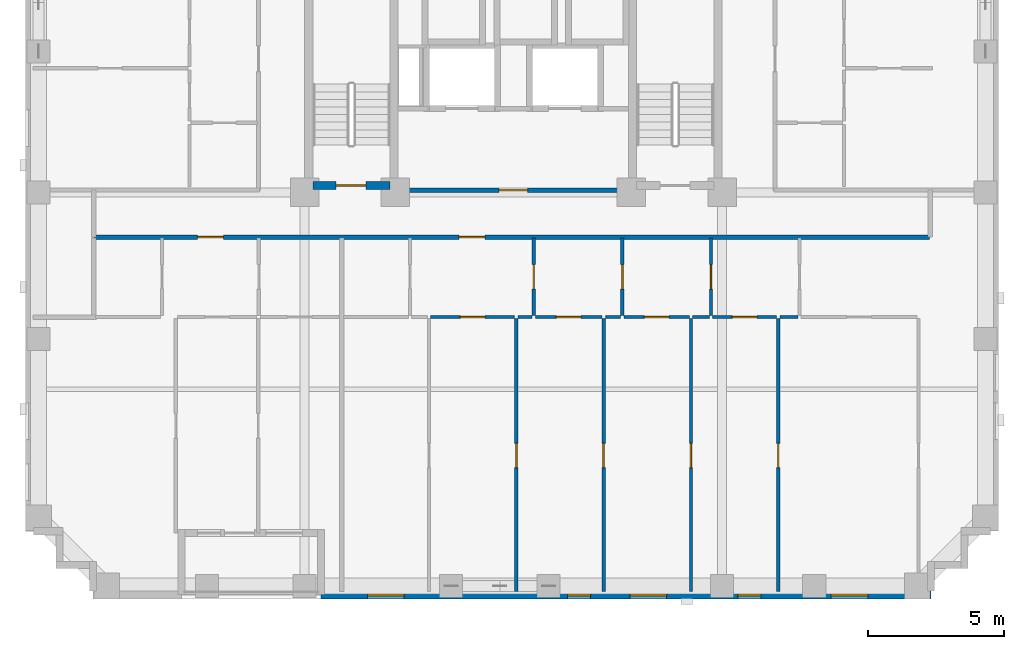
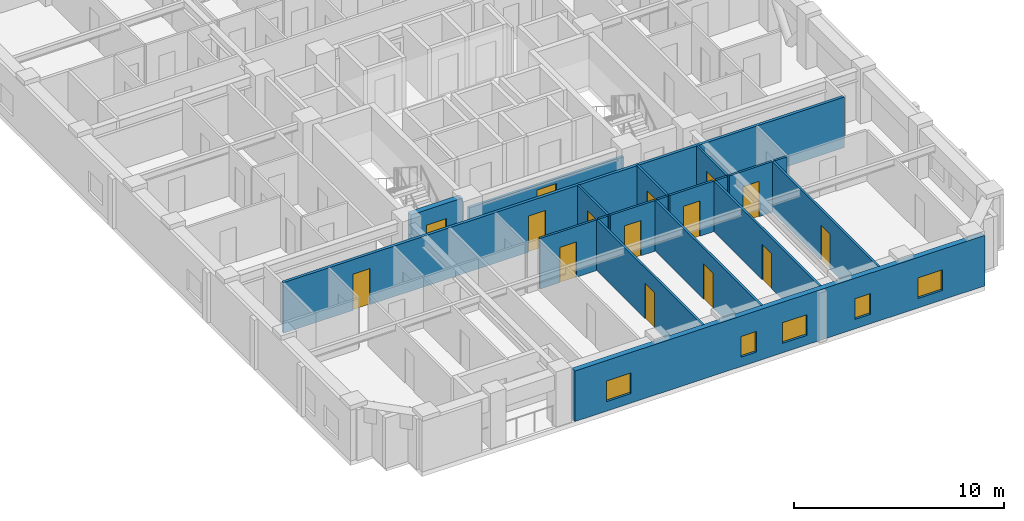
# One storey, part 3 of 12: 19 walls, 15 doors, 5 windows, 20 openings.
"""IFC4 building model written with IfcOpenShell, lengths in metres."""

import ifcopenshell
import ifcopenshell.guid

model = None  # the IFC model being written
_history = None  # IfcOwnerHistory: only IFC2X3 demands one
_inside = {}  # id of a spatial element -> (the spatial element, [elements in it])
_under = {}  # id of a project, library or spatial element -> (it, [spatial elements below it])
_declared = {}  # id of a project -> (the project, [libraries it declares])
_typed = {}  # id of a type object -> (the type object, [elements of that type])
_made_of = {}  # id of a material, layer set ... -> (it, [elements and type objects made of it])


def new_model(schema):
    """Start an empty IFC model of exactly this schema.

    Asked for "IFC4X3", IfcOpenShell would pick the latest addendum, in which some entities
    have other attributes; the version numbers below select the first issue.
    IFC2X3 requires an IfcOwnerHistory on every rooted entity: one is made here for all.
    """
    global model, _history
    if schema == "IFC4X3":
        model = ifcopenshell.file(schema_version=(4, 3, 0, 0))
    else:
        model = ifcopenshell.file(schema=schema)
    _inside.clear()
    _under.clear()
    _declared.clear()
    _typed.clear()
    _made_of.clear()
    _history = None
    if model.schema == "IFC2X3":
        org = make("IfcOrganization", Name="unknown")
        user = make(
            "IfcPersonAndOrganization",
            ThePerson=make("IfcPerson", FamilyName="unknown"),
            TheOrganization=org,
        )
        app = make(
            "IfcApplication",
            ApplicationDeveloper=org,
            Version="unknown",
            ApplicationFullName="unknown",
            ApplicationIdentifier="unknown",
        )
        _history = make(
            "IfcOwnerHistory",
            OwningUser=user,
            OwningApplication=app,
            ChangeAction="ADDED",
            CreationDate=0,
        )
    return model


def make(cls, **values):
    """One entity of the class cls with the attributes given. An attribute that is None is left unset."""
    return model.create_entity(
        cls, **{name: value for name, value in values.items() if value is not None}
    )


def rooted(cls, **values):
    """An entity with a GlobalId (a new one), such as an element, a storey or a relation."""
    return make(cls, GlobalId=ifcopenshell.guid.new(), OwnerHistory=_history, **values)


def si_unit(unit_type, name, prefix=None):
    """IfcSIUnit, for example si_unit("LENGTHUNIT", "METRE", prefix="MILLI")."""
    return make("IfcSIUnit", UnitType=unit_type, Prefix=prefix, Name=name)


def derived_unit(unit_type, elements):
    """IfcDerivedUnit: a product of units, each with its exponent."""
    return make(
        "IfcDerivedUnit",
        Elements=[
            make("IfcDerivedUnitElement", Unit=unit, Exponent=power)
            for unit, power in elements
        ],
        UnitType=unit_type,
    )


def assignment(units):
    """IfcUnitAssignment: the units of a project."""
    return None if units is None else make("IfcUnitAssignment", Units=units)


def point(xyz):
    """IfcCartesianPoint."""
    return None if xyz is None else make("IfcCartesianPoint", Coordinates=xyz)


def direction(xyz):
    """IfcDirection."""
    return None if xyz is None else make("IfcDirection", DirectionRatios=xyz)


def frame(location, z_axis=None, x_axis=None):
    """IfcAxis2Placement3D, a coordinate frame: its origin and axes. An axis left out is left unset."""
    return make(
        "IfcAxis2Placement3D",
        Location=point(location),
        Axis=direction(z_axis),
        RefDirection=direction(x_axis),
    )


def frame_2d(location, x_axis=None):
    """IfcAxis2Placement2D, a coordinate frame in the plane: its origin and x axis."""
    return make(
        "IfcAxis2Placement2D", Location=point(location), RefDirection=direction(x_axis)
    )


def origin():
    """The frame at (0, 0, 0) with its axes left unset."""
    return frame((0.0, 0.0, 0.0))


def place(relative_to, where):
    """IfcLocalPlacement: puts the frame where relative to a parent placement (None: the world)."""
    return make(
        "IfcLocalPlacement", PlacementRelTo=relative_to, RelativePlacement=where
    )


def context(
    kind, dimensions, precision=None, world=None, true_north=None, identifier=None
):
    """IfcGeometricRepresentationContext, for example the 3D "Model" context."""
    return make(
        "IfcGeometricRepresentationContext",
        ContextIdentifier=identifier,
        ContextType=kind,
        CoordinateSpaceDimension=dimensions,
        Precision=precision,
        WorldCoordinateSystem=world,
        TrueNorth=true_north,
    )


def subcontext(parent, identifier, kind, view, scale=None):
    """IfcGeometricRepresentationSubContext, for example "Body" below "Model"."""
    return make(
        "IfcGeometricRepresentationSubContext",
        ContextIdentifier=identifier,
        ContextType=kind,
        ParentContext=parent,
        TargetScale=scale,
        TargetView=view,
    )


def project(units=None, contexts=None):
    """IfcProject with its units and contexts."""
    return rooted(
        "IfcProject",
        Name="project",
        RepresentationContexts=contexts,
        UnitsInContext=assignment(units),
    )


def spatial(cls, under=None, at=None, **own):
    """A site, building, storey or space (cls), placed at a placement, below another one or the project."""
    s = rooted(cls, ObjectPlacement=at, **own)
    if under is not None:
        _under.setdefault(under.id(), (under, []))[1].append(s)
    return s


def profile(cls, at=None, kind="AREA", **sizes):
    """A parametric profile (cls). Its sizes go by their IFC names, for example OverallWidth=200.0."""
    return make(cls, ProfileType=kind, Position=at, **sizes)


def rectangle(**sizes):
    """IfcRectangleProfileDef."""
    return profile("IfcRectangleProfileDef", **sizes)


def extrude(swept, where, along, depth):
    """IfcExtrudedAreaSolid: the profile swept, set in the frame where, extruded along a direction by depth."""
    return make(
        "IfcExtrudedAreaSolid",
        SweptArea=swept,
        Position=where,
        ExtrudedDirection=direction(along),
        Depth=depth,
    )


def shape(context_of_items, identifier, shape_type, items):
    """IfcShapeRepresentation: the items that make up one representation, for example the "Body"."""
    return make(
        "IfcShapeRepresentation",
        ContextOfItems=context_of_items,
        RepresentationIdentifier=identifier,
        RepresentationType=shape_type,
        Items=items,
    )


def material(Name=None, Category=None):
    """IfcMaterial."""
    return make("IfcMaterial", Name=Name, Category=Category)


def layer(
    of_material, thickness, ventilated=None, Name=None, Category=None, Priority=None
):
    """IfcMaterialLayer: one layer of a wall or slab, of a material (None: an air gap)."""
    return make(
        "IfcMaterialLayer",
        Material=of_material,
        LayerThickness=thickness,
        IsVentilated=ventilated,
        Name=Name,
        Category=Category,
        Priority=Priority,
    )


def layer_set(layers, Name=None):
    """IfcMaterialLayerSet."""
    return make("IfcMaterialLayerSet", MaterialLayers=layers, LayerSetName=Name)


def made_of(thing, what):
    """Note that an element or type object is made of a material, layer set ...; save() writes the relation."""
    if what is not None:
        _made_of.setdefault(what.id(), (what, []))[1].append(thing)
    return thing


def type_object(cls, material=None, **own):
    """A type object (cls), such as IfcWallType, which elements share."""
    return made_of(rooted(cls, **own), material)


def element(
    cls,
    number,
    at=None,
    inside=None,
    cuts=None,
    type_object=None,
    material=None,
    context=None,
    identifier="Body",
    shape_type=None,
    held_by="IfcProductDefinitionShape",
    body=None,
    shapes=None,
    **own,
):
    """One element of the class cls, such as IfcWall. Its Tag is "e" and its number.

    at: its placement. inside: the storey or other place that contains it. cuts: it is an
    opening in that element (IfcRelVoidsElement). A single representation is given by context,
    identifier, shape_type and body (its items); several are given by shapes. held_by: the class
    of the entity that holds the representations. save() writes the other relations.
    """
    e = rooted(cls, Tag="e%d" % number, ObjectPlacement=at, **own)
    if body is not None:
        shapes = [shape(context, identifier, shape_type, body)]
    if shapes is not None:
        e.Representation = make(held_by, Representations=shapes)
    if inside is not None:
        _inside.setdefault(inside.id(), (inside, []))[1].append(e)
    if cuts is not None:
        rooted(
            "IfcRelVoidsElement", RelatingBuildingElement=cuts, RelatedOpeningElement=e
        )
    if type_object is not None:
        _typed.setdefault(type_object.id(), (type_object, []))[1].append(e)
    return made_of(e, material)


def fill(opening, filler):
    """IfcRelFillsElement: the door or window that sits in an opening."""
    return rooted(
        "IfcRelFillsElement",
        RelatingOpeningElement=opening,
        RelatedBuildingElement=filler,
    )


def aggregate(whole, parts):
    """IfcRelAggregates: a whole, such as a stair, and the parts it consists of."""
    return rooted("IfcRelAggregates", RelatingObject=whole, RelatedObjects=parts)


def save(model, path):
    """Write the relations noted so far, then the file.

    IfcRelAggregates (storeys below a building ...), IfcRelContainedInSpatialStructure (elements
    in a storey), IfcRelDefinesByType, IfcRelAssociatesMaterial and IfcRelDeclares: one each for
    every whole, place, type object, material and project.
    """
    for whole, parts in _under.values():
        aggregate(whole, parts)
    for where, things in _inside.values():
        rooted(
            "IfcRelContainedInSpatialStructure",
            RelatedElements=things,
            RelatingStructure=where,
        )
    for kind, things in _typed.values():
        rooted("IfcRelDefinesByType", RelatedObjects=things, RelatingType=kind)
    for what, things in _made_of.values():
        rooted("IfcRelAssociatesMaterial", RelatedObjects=things, RelatingMaterial=what)
    for by, libraries in _declared.values():
        rooted("IfcRelDeclares", RelatingContext=by, RelatedDefinitions=libraries)
    model.write(path)


model = new_model("IFC4")

# Units and contexts
model_context = context("Model", 3, precision=1e-05, world=origin(), true_north=direction((0.0, 1.0)))
body_context = subcontext(model_context, "Body", "Model", "MODEL_VIEW")
ifc_project = project(units=[si_unit("LENGTHUNIT", "METRE"), si_unit("AREAUNIT", "SQUARE_METRE"), si_unit("VOLUMEUNIT", "CUBIC_METRE"), si_unit("PLANEANGLEUNIT", "RADIAN"), si_unit("MASSUNIT", "GRAM", prefix="KILO"), derived_unit("THERMALTRANSMITTANCEUNIT", [(si_unit("MASSUNIT", "GRAM", prefix="KILO"), 1), (si_unit("TIMEUNIT", "SECOND"), -3), (si_unit("THERMODYNAMICTEMPERATUREUNIT", "KELVIN"), -1)])], contexts=[model_context])

# Site, building, storey
site_placement = place(None, origin())
site = spatial("IfcSite", under=ifc_project, at=site_placement, CompositionType="ELEMENT")
building_placement = place(site_placement, origin())
building = spatial("IfcBuilding", under=site, at=building_placement, Name="Korrvale Station Residences", CompositionType="ELEMENT")
storey_placement = place(building_placement, frame((0.0, 0.0, 84.699951171875)))
storey = spatial("IfcBuildingStorey", under=building, at=storey_placement, Name="L23", CompositionType="ELEMENT", Elevation=84.699951171875)

# Wall, opening, door
ifc_material_1 = material(Name="Concrete C60/75", Category="concrete")
ifc_layer_1 = layer(ifc_material_1, 0.300048828125, Name="Concrete C60/75")
ifc_layer_set_1 = layer_set([ifc_layer_1], Name="Concrete C60/75")
wall_type_1 = type_object("IfcWallType", Name="WAL-CORE-300-C60", PredefinedType="SHEAR", material=ifc_layer_set_1)
wall_1_placement = place(storey_placement, frame((18.10009765625, 15.25, 0.0), z_axis=(0.0, 0.0, 1.0), x_axis=(1.0, 0.0, 0.0)))
wall_1 = element("IfcWall", 1, at=wall_1_placement, inside=storey, type_object=wall_type_1, Name="L23 ST-1 Core Shear Wall South", PredefinedType="SHEAR", context=body_context, shape_type="SweptSolid", body=[
    extrude(rectangle(XDim=2.849853515625, YDim=0.300048828125, at=frame_2d((1.4248046875, 0.0))), origin(), (0.0, 0.0, 1.0), 2.93994140625),
])
opening_1_placement = place(wall_1_placement, frame((0.860107421875, 0.0, 0.0)))
opening_1 = element("IfcOpeningElement", 2, at=opening_1_placement, cuts=wall_1, Name="Opening SD-1100", PredefinedType="OPENING", context=body_context, shape_type="SweptSolid", body=[
    extrude(rectangle(XDim=1.10009765625, YDim=2.050048828125, at=frame_2d((0.550048828125, 1.02490234375))), frame((0.0, 0.16015625, 0.0), z_axis=(0.0, -1.0, 0.0), x_axis=(1.0, 0.0, 0.0)), (0.0, 0.0, 1.0), 0.320068359375),
])
ifc_material_2 = material(Name="Hollow-metal fire-rated stair door with closer", Category="steel")
door_type_1 = type_object("IfcDoorType", Name="DR-STAIR-1100", OperationType="NOTDEFINED", PredefinedType="DOOR", material=ifc_material_2)
door_1_placement = place(opening_1_placement, origin())
door_1 = element("IfcDoor", 3, at=door_1_placement, inside=storey, type_object=door_type_1, Name="L23 ST-1 Exit Stair Door", OperationType="SINGLE_SWING_LEFT", OverallHeight=2.050048828125, OverallWidth=1.10009765625, PredefinedType="DOOR", context=body_context, shape_type="SweptSolid", body=[
    extrude(rectangle(XDim=1.10009765625, YDim=2.050048828125, at=frame_2d((0.550048828125, 1.02490234375))), frame((0.0, 0.02490234375, 0.0), z_axis=(0.0, -1.0, 0.0), x_axis=(1.0, 0.0, 0.0)), (0.0, 0.0, 1.0), 0.050048828125),
])
fill(opening_1, door_1)

# Wall, openings, windows
ifc_material_3 = material(Name="Precast concrete C45/55", Category="concrete")
ifc_layer_2 = layer(ifc_material_3, 0.300048828125, Name="Precast concrete C45/55")
ifc_layer_set_2 = layer_set([ifc_layer_2], Name="Precast concrete C45/55")
wall_type_2 = type_object("IfcWallType", Name="WAL-EXT-PC300", PredefinedType="SOLIDWALL", material=ifc_layer_set_2)
wall_2_placement = place(storey_placement, frame((40.89990234375, 0.14990234375, 0.0), z_axis=(0.0, 0.0, 1.0), x_axis=(-1.0, 0.0, 0.0)))
wall_2 = element("IfcWall", 4, at=wall_2_placement, inside=storey, type_object=wall_type_2, Name="L23 South Exterior Precast Wall 1", PredefinedType="SOLIDWALL", context=body_context, shape_type="SweptSolid", body=[
    extrude(rectangle(XDim=22.5, YDim=0.300048828125, at=frame_2d((11.25, 0.0))), origin(), (0.0, 0.0, 1.0), 2.93994140625),
])
opening_2_placement = place(wall_2_placement, frame((19.425048828125, 0.0, 0.550048828125)))
opening_2 = element("IfcOpeningElement", 5, at=opening_2_placement, cuts=wall_2, Name="Opening W-10", PredefinedType="OPENING", context=body_context, shape_type="SweptSolid", body=[
    extrude(rectangle(XDim=1.35009765625, YDim=1.199951171875, at=frame_2d((0.675048828125, 0.60009765625))), frame((0.0, 0.16015625, 0.0), z_axis=(0.0, -1.0, 0.0), x_axis=(1.0, 0.0, 0.0)), (0.0, 0.0, 1.0), 0.320068359375),
])
opening_3_placement = place(wall_2_placement, frame((12.550048828125, 0.0, 0.550048828125)))
opening_3 = element("IfcOpeningElement", 6, at=opening_3_placement, cuts=wall_2, Name="Opening W-11", PredefinedType="OPENING", context=body_context, shape_type="SweptSolid", body=[
    extrude(rectangle(XDim=0.85009765625, YDim=1.199951171875, at=frame_2d((0.425048828125, 0.60009765625))), frame((0.0, 0.16015625, 0.0), z_axis=(0.0, -1.0, 0.0), x_axis=(1.0, 0.0, 0.0)), (0.0, 0.0, 1.0), 0.320068359375),
])
opening_4_placement = place(wall_2_placement, frame((9.75, 0.0, 0.550048828125)))
opening_4 = element("IfcOpeningElement", 7, at=opening_4_placement, cuts=wall_2, Name="Opening W-10", PredefinedType="OPENING", context=body_context, shape_type="SweptSolid", body=[
    extrude(rectangle(XDim=1.35009765625, YDim=1.199951171875, at=frame_2d((0.675048828125, 0.60009765625))), frame((0.0, 0.16015625, 0.0), z_axis=(0.0, -1.0, 0.0), x_axis=(1.0, 0.0, 0.0)), (0.0, 0.0, 1.0), 0.320068359375),
])
opening_5_placement = place(wall_2_placement, frame((6.264892578125, 0.0, 0.550048828125)))
opening_5 = element("IfcOpeningElement", 8, at=opening_5_placement, cuts=wall_2, Name="Opening W-11", PredefinedType="OPENING", context=body_context, shape_type="SweptSolid", body=[
    extrude(rectangle(XDim=0.85009765625, YDim=1.199951171875, at=frame_2d((0.425048828125, 0.60009765625))), frame((0.0, 0.16015625, 0.0), z_axis=(0.0, -1.0, 0.0), x_axis=(1.0, 0.0, 0.0)), (0.0, 0.0, 1.0), 0.320068359375),
])
opening_6_placement = place(wall_2_placement, frame((2.324951171875, 0.0, 0.550048828125)))
opening_6 = element("IfcOpeningElement", 9, at=opening_6_placement, cuts=wall_2, Name="Opening W-10", PredefinedType="OPENING", context=body_context, shape_type="SweptSolid", body=[
    extrude(rectangle(XDim=1.35009765625, YDim=1.199951171875, at=frame_2d((0.675048828125, 0.60009765625))), frame((0.0, 0.16015625, 0.0), z_axis=(0.0, -1.0, 0.0), x_axis=(1.0, 0.0, 0.0)), (0.0, 0.0, 1.0), 0.320068359375),
])
ifc_material_4 = material(Name="Thermally broken aluminium frame with triple low-e glazing", Category="aluminium")
window_type_1 = type_object("IfcWindowType", Name="WIN-W10", PartitioningType="SINGLE_PANEL", PredefinedType="WINDOW", material=ifc_material_4)
window_1_placement = place(opening_2_placement, origin())
window_1 = element("IfcWindow", 10, at=window_1_placement, inside=storey, type_object=window_type_1, Name="L23 Punched Window 05", OverallHeight=1.199951171875, OverallWidth=1.35009765625, PartitioningType="SINGLE_PANEL", PredefinedType="WINDOW", context=body_context, shape_type="SweptSolid", body=[
    extrude(rectangle(XDim=1.35009765625, YDim=1.199951171875, at=frame_2d((0.675048828125, 0.60009765625))), frame((0.0, 0.030029296875, 0.0), z_axis=(0.0, -1.0, 0.0), x_axis=(1.0, 0.0, 0.0)), (0.0, 0.0, 1.0), 0.06005859375),
])
fill(opening_2, window_1)
window_2_placement = place(opening_4_placement, origin())
window_2 = element("IfcWindow", 11, at=window_2_placement, inside=storey, type_object=window_type_1, Name="L23 Punched Window 07", OverallHeight=1.199951171875, OverallWidth=1.35009765625, PartitioningType="SINGLE_PANEL", PredefinedType="WINDOW", context=body_context, shape_type="SweptSolid", body=[
    extrude(rectangle(XDim=1.35009765625, YDim=1.199951171875, at=frame_2d((0.675048828125, 0.60009765625))), frame((0.0, 0.030029296875, 0.0), z_axis=(0.0, -1.0, 0.0), x_axis=(1.0, 0.0, 0.0)), (0.0, 0.0, 1.0), 0.06005859375),
])
fill(opening_4, window_2)
window_3_placement = place(opening_6_placement, origin())
window_3 = element("IfcWindow", 12, at=window_3_placement, inside=storey, type_object=window_type_1, Name="L23 Punched Window 09", OverallHeight=1.199951171875, OverallWidth=1.35009765625, PartitioningType="SINGLE_PANEL", PredefinedType="WINDOW", context=body_context, shape_type="SweptSolid", body=[
    extrude(rectangle(XDim=1.35009765625, YDim=1.199951171875, at=frame_2d((0.675048828125, 0.60009765625))), frame((0.0, 0.030029296875, 0.0), z_axis=(0.0, -1.0, 0.0), x_axis=(1.0, 0.0, 0.0)), (0.0, 0.0, 1.0), 0.06005859375),
])
fill(opening_6, window_3)
window_type_2 = type_object("IfcWindowType", Name="WIN-W11", PartitioningType="SINGLE_PANEL", PredefinedType="WINDOW", material=ifc_material_4)
window_4_placement = place(opening_3_placement, origin())
window_4 = element("IfcWindow", 13, at=window_4_placement, inside=storey, type_object=window_type_2, Name="L23 Punched Window 06", OverallHeight=1.199951171875, OverallWidth=0.85009765625, PartitioningType="SINGLE_PANEL", PredefinedType="WINDOW", context=body_context, shape_type="SweptSolid", body=[
    extrude(rectangle(XDim=0.85009765625, YDim=1.199951171875, at=frame_2d((0.425048828125, 0.60009765625))), frame((0.0, 0.030029296875, 0.0), z_axis=(0.0, -1.0, 0.0), x_axis=(1.0, 0.0, 0.0)), (0.0, 0.0, 1.0), 0.06005859375),
])
fill(opening_3, window_4)
window_5_placement = place(opening_5_placement, origin())
window_5 = element("IfcWindow", 14, at=window_5_placement, inside=storey, type_object=window_type_2, Name="L23 Punched Window 08", OverallHeight=1.199951171875, OverallWidth=0.85009765625, PartitioningType="SINGLE_PANEL", PredefinedType="WINDOW", context=body_context, shape_type="SweptSolid", body=[
    extrude(rectangle(XDim=0.85009765625, YDim=1.199951171875, at=frame_2d((0.425048828125, 0.60009765625))), frame((0.0, 0.030029296875, 0.0), z_axis=(0.0, -1.0, 0.0), x_axis=(1.0, 0.0, 0.0)), (0.0, 0.0, 1.0), 0.06005859375),
])
fill(opening_5, window_5)

# Wall, opening, door
ifc_material_5 = material(Name="Acoustic steel-stud gypsum board partition", Category="steel")
ifc_layer_3 = layer(ifc_material_5, 0.1201171875, Name="Acoustic steel-stud gypsum board partition")
ifc_layer_set_3 = layer_set([ifc_layer_3], Name="Acoustic steel-stud gypsum board partition")
wall_type_3 = type_object("IfcWallType", Name="WAL-PART-125", PredefinedType="PARTITIONING", material=ifc_layer_set_3)
wall_3_placement = place(storey_placement, frame((26.25, 10.4599609375, 0.0), z_axis=(0.0, 0.0, 1.0), x_axis=(0.0, 1.0, 0.0)))
wall_3 = element("IfcWall", 15, at=wall_3_placement, inside=storey, type_object=wall_type_3, Name="L23 Suite Partition U02-V12", PredefinedType="PARTITIONING", context=body_context, shape_type="SweptSolid", body=[
    extrude(rectangle(XDim=2.85009765625, YDim=0.1201171875, at=frame_2d((1.425048828125, 0.0))), origin(), (0.0, 0.0, 1.0), 2.93994140625),
])
opening_7_placement = place(wall_3_placement, frame((0.97509765625, 0.0, 0.0)))
opening_7 = element("IfcOpeningElement", 16, at=opening_7_placement, cuts=wall_3, Name="Opening DI-900", PredefinedType="OPENING", context=body_context, shape_type="SweptSolid", body=[
    extrude(rectangle(XDim=0.89990234375, YDim=2.050048828125, at=frame_2d((0.449951171875, 1.02490234375))), frame((0.0, 0.070068359375, 0.0), z_axis=(0.0, -1.0, 0.0), x_axis=(1.0, 0.0, 0.0)), (0.0, 0.0, 1.0), 0.14013671875),
])
ifc_material_6 = material(Name="Painted solid-core timber interior room door", Category="wood")
door_type_2 = type_object("IfcDoorType", Name="DR-INT-900", OperationType="NOTDEFINED", PredefinedType="DOOR", material=ifc_material_6)
door_2_placement = place(opening_7_placement, origin())
door_2 = element("IfcDoor", 17, at=door_2_placement, inside=storey, type_object=door_type_2, Name="L23 Studio Apartment L23-U02 Kitchen Door", OperationType="SINGLE_SWING_LEFT", OverallHeight=2.050048828125, OverallWidth=0.89990234375, PredefinedType="DOOR", context=body_context, shape_type="SweptSolid", body=[
    extrude(rectangle(XDim=0.89990234375, YDim=2.050048828125, at=frame_2d((0.449951171875, 1.02490234375))), frame((0.0, 0.02490234375, 0.0), z_axis=(0.0, -1.0, 0.0), x_axis=(1.0, 0.0, 0.0)), (0.0, 0.0, 1.0), 0.050048828125),
])
fill(opening_7, door_2)

wall_4_placement = place(storey_placement, frame((22.449951171875, 10.39990234375, 0.0), z_axis=(0.0, 0.0, 1.0), x_axis=(1.0, 0.0, 0.0)))
wall_4 = element("IfcWall", 18, at=wall_4_placement, inside=storey, type_object=wall_type_3, Name="L23 Suite Partition U02-H17", PredefinedType="PARTITIONING", context=body_context, shape_type="SweptSolid", body=[
    extrude(rectangle(XDim=3.10009765625, YDim=0.1201171875, at=frame_2d((1.550048828125, 0.0))), origin(), (0.0, 0.0, 1.0), 2.93994140625),
])
opening_8_placement = place(wall_4_placement, frame((1.10009765625, 0.0, 0.0)))
opening_8 = element("IfcOpeningElement", 19, at=opening_8_placement, cuts=wall_4, Name="Opening DI-900", PredefinedType="OPENING", context=body_context, shape_type="SweptSolid", body=[
    extrude(rectangle(XDim=0.89990234375, YDim=2.050048828125, at=frame_2d((0.449951171875, 1.02490234375))), frame((0.0, 0.070068359375, 0.0), z_axis=(0.0, -1.0, 0.0), x_axis=(1.0, 0.0, 0.0)), (0.0, 0.0, 1.0), 0.14013671875),
])
door_3_placement = place(opening_8_placement, origin())
door_3 = element("IfcDoor", 20, at=door_3_placement, inside=storey, type_object=door_type_2, Name="L23 Studio Apartment L23-U02 Kitchen Door", OperationType="SINGLE_SWING_RIGHT", OverallHeight=2.050048828125, OverallWidth=0.89990234375, PredefinedType="DOOR", context=body_context, shape_type="SweptSolid", body=[
    extrude(rectangle(XDim=0.89990234375, YDim=2.050048828125, at=frame_2d((0.449951171875, 1.02490234375))), frame((0.0, 0.02490234375, 0.0), z_axis=(0.0, -1.0, 0.0), x_axis=(1.0, 0.0, 0.0)), (0.0, 0.0, 1.0), 0.050048828125),
])
fill(opening_8, door_3)

# Wall
wall_5_placement = place(storey_placement, frame((25.669921875, 10.39990234375, 0.0), z_axis=(0.0, 0.0, 1.0), x_axis=(1.0, 0.0, 0.0)))
element("IfcWall", 21, at=wall_5_placement, inside=storey, type_object=wall_type_3, Name="L23 Suite Partition U02-H18", PredefinedType="PARTITIONING", context=body_context, shape_type="SweptSolid", body=[
    extrude(rectangle(XDim=0.52001953125, YDim=0.1201171875, at=frame_2d((0.260009765625, 0.0))), origin(), (0.0, 0.0, 1.0), 2.93994140625),
])

# Wall, opening, door
wall_6_placement = place(storey_placement, frame((29.52001953125, 10.4599609375, 0.0), z_axis=(0.0, 0.0, 1.0), x_axis=(0.0, 1.0, 0.0)))
wall_6 = element("IfcWall", 22, at=wall_6_placement, inside=storey, type_object=wall_type_3, Name="L23 Suite Partition U02-V23", PredefinedType="PARTITIONING", context=body_context, shape_type="SweptSolid", body=[
    extrude(rectangle(XDim=2.85009765625, YDim=0.1201171875, at=frame_2d((1.425048828125, 0.0))), origin(), (0.0, 0.0, 1.0), 2.93994140625),
])
opening_9_placement = place(wall_6_placement, frame((0.97509765625, 0.0, 0.0)))
opening_9 = element("IfcOpeningElement", 23, at=opening_9_placement, cuts=wall_6, Name="Opening DI-900", PredefinedType="OPENING", context=body_context, shape_type="SweptSolid", body=[
    extrude(rectangle(XDim=0.89990234375, YDim=2.050048828125, at=frame_2d((0.449951171875, 1.02490234375))), frame((0.0, 0.070068359375, 0.0), z_axis=(0.0, -1.0, 0.0), x_axis=(1.0, 0.0, 0.0)), (0.0, 0.0, 1.0), 0.14013671875),
])
door_4_placement = place(opening_9_placement, origin())
door_4 = element("IfcDoor", 24, at=door_4_placement, inside=storey, type_object=door_type_2, Name="L23 Studio Apartment L23-U02 Home Study Room Door", OperationType="SINGLE_SWING_LEFT", OverallHeight=2.050048828125, OverallWidth=0.89990234375, PredefinedType="DOOR", context=body_context, shape_type="SweptSolid", body=[
    extrude(rectangle(XDim=0.89990234375, YDim=2.050048828125, at=frame_2d((0.449951171875, 1.02490234375))), frame((0.0, 0.02490234375, 0.0), z_axis=(0.0, -1.0, 0.0), x_axis=(1.0, 0.0, 0.0)), (0.0, 0.0, 1.0), 0.050048828125),
])
fill(opening_9, door_4)

wall_7_placement = place(storey_placement, frame((26.31005859375, 10.39990234375, 0.0), z_axis=(0.0, 0.0, 1.0), x_axis=(1.0, 0.0, 0.0)))
wall_7 = element("IfcWall", 25, at=wall_7_placement, inside=storey, type_object=wall_type_3, Name="L23 Suite Partition U02-H28", PredefinedType="PARTITIONING", context=body_context, shape_type="SweptSolid", body=[
    extrude(rectangle(XDim=2.4599609375, YDim=0.1201171875, at=frame_2d((1.22998046875, 0.0))), origin(), (0.0, 0.0, 1.0), 2.93994140625),
])
opening_10_placement = place(wall_7_placement, frame((0.780029296875, 0.0, 0.0)))
opening_10 = element("IfcOpeningElement", 26, at=opening_10_placement, cuts=wall_7, Name="Opening DI-900", PredefinedType="OPENING", context=body_context, shape_type="SweptSolid", body=[
    extrude(rectangle(XDim=0.89990234375, YDim=2.050048828125, at=frame_2d((0.449951171875, 1.02490234375))), frame((0.0, 0.070068359375, 0.0), z_axis=(0.0, -1.0, 0.0), x_axis=(1.0, 0.0, 0.0)), (0.0, 0.0, 1.0), 0.14013671875),
])
door_5_placement = place(opening_10_placement, origin())
door_5 = element("IfcDoor", 27, at=door_5_placement, inside=storey, type_object=door_type_2, Name="L23 Studio Apartment L23-U02 Home Study Room Door", OperationType="SINGLE_SWING_RIGHT", OverallHeight=2.050048828125, OverallWidth=0.89990234375, PredefinedType="DOOR", context=body_context, shape_type="SweptSolid", body=[
    extrude(rectangle(XDim=0.89990234375, YDim=2.050048828125, at=frame_2d((0.449951171875, 1.02490234375))), frame((0.0, 0.02490234375, 0.0), z_axis=(0.0, -1.0, 0.0), x_axis=(1.0, 0.0, 0.0)), (0.0, 0.0, 1.0), 0.050048828125),
])
fill(opening_10, door_5)

# Wall
wall_8_placement = place(storey_placement, frame((28.889892578125, 10.39990234375, 0.0), z_axis=(0.0, 0.0, 1.0), x_axis=(1.0, 0.0, 0.0)))
element("IfcWall", 28, at=wall_8_placement, inside=storey, type_object=wall_type_3, Name="L23 Suite Partition U02-H29", PredefinedType="PARTITIONING", context=body_context, shape_type="SweptSolid", body=[
    extrude(rectangle(XDim=0.570068359375, YDim=0.1201171875, at=frame_2d((0.28515625, 0.0))), origin(), (0.0, 0.0, 1.0), 2.93994140625),
])

# Wall, opening, door
wall_9_placement = place(storey_placement, frame((32.7900390625, 10.4599609375, 0.0), z_axis=(0.0, 0.0, 1.0), x_axis=(0.0, 1.0, 0.0)))
wall_9 = element("IfcWall", 29, at=wall_9_placement, inside=storey, type_object=wall_type_3, Name="L23 Suite Partition U02-V34", PredefinedType="PARTITIONING", context=body_context, shape_type="SweptSolid", body=[
    extrude(rectangle(XDim=2.85009765625, YDim=0.1201171875, at=frame_2d((1.425048828125, 0.0))), origin(), (0.0, 0.0, 1.0), 2.93994140625),
])
opening_11_placement = place(wall_9_placement, frame((0.97509765625, 0.0, 0.0)))
opening_11 = element("IfcOpeningElement", 30, at=opening_11_placement, cuts=wall_9, Name="Opening DI-900", PredefinedType="OPENING", context=body_context, shape_type="SweptSolid", body=[
    extrude(rectangle(XDim=0.89990234375, YDim=2.050048828125, at=frame_2d((0.449951171875, 1.02490234375))), frame((0.0, 0.070068359375, 0.0), z_axis=(0.0, -1.0, 0.0), x_axis=(1.0, 0.0, 0.0)), (0.0, 0.0, 1.0), 0.14013671875),
])
door_6_placement = place(opening_11_placement, origin())
door_6 = element("IfcDoor", 31, at=door_6_placement, inside=storey, type_object=door_type_2, Name="L23 Studio Apartment L23-U02 Home Study Room Door", OperationType="SINGLE_SWING_LEFT", OverallHeight=2.050048828125, OverallWidth=0.89990234375, PredefinedType="DOOR", context=body_context, shape_type="SweptSolid", body=[
    extrude(rectangle(XDim=0.89990234375, YDim=2.050048828125, at=frame_2d((0.449951171875, 1.02490234375))), frame((0.0, 0.02490234375, 0.0), z_axis=(0.0, -1.0, 0.0), x_axis=(1.0, 0.0, 0.0)), (0.0, 0.0, 1.0), 0.050048828125),
])
fill(opening_11, door_6)

wall_10_placement = place(storey_placement, frame((29.580078125, 10.39990234375, 0.0), z_axis=(0.0, 0.0, 1.0), x_axis=(1.0, 0.0, 0.0)))
wall_10 = element("IfcWall", 32, at=wall_10_placement, inside=storey, type_object=wall_type_3, Name="L23 Suite Partition U02-H39", PredefinedType="PARTITIONING", context=body_context, shape_type="SweptSolid", body=[
    extrude(rectangle(XDim=2.409912109375, YDim=0.1201171875, at=frame_2d((1.205078125, 0.0))), origin(), (0.0, 0.0, 1.0), 2.93994140625),
])
opening_12_placement = place(wall_10_placement, frame((0.7548828125, 0.0, 0.0)))
opening_12 = element("IfcOpeningElement", 33, at=opening_12_placement, cuts=wall_10, Name="Opening DI-900", PredefinedType="OPENING", context=body_context, shape_type="SweptSolid", body=[
    extrude(rectangle(XDim=0.89990234375, YDim=2.050048828125, at=frame_2d((0.449951171875, 1.02490234375))), frame((0.0, 0.070068359375, 0.0), z_axis=(0.0, -1.0, 0.0), x_axis=(1.0, 0.0, 0.0)), (0.0, 0.0, 1.0), 0.14013671875),
])
door_7_placement = place(opening_12_placement, origin())
door_7 = element("IfcDoor", 34, at=door_7_placement, inside=storey, type_object=door_type_2, Name="L23 Studio Apartment L23-U02 Home Study Room Door", OperationType="SINGLE_SWING_RIGHT", OverallHeight=2.050048828125, OverallWidth=0.89990234375, PredefinedType="DOOR", context=body_context, shape_type="SweptSolid", body=[
    extrude(rectangle(XDim=0.89990234375, YDim=2.050048828125, at=frame_2d((0.449951171875, 1.02490234375))), frame((0.0, 0.02490234375, 0.0), z_axis=(0.0, -1.0, 0.0), x_axis=(1.0, 0.0, 0.0)), (0.0, 0.0, 1.0), 0.050048828125),
])
fill(opening_12, door_7)

# Wall
wall_11_placement = place(storey_placement, frame((32.110107421875, 10.39990234375, 0.0), z_axis=(0.0, 0.0, 1.0), x_axis=(1.0, 0.0, 0.0)))
element("IfcWall", 35, at=wall_11_placement, inside=storey, type_object=wall_type_3, Name="L23 Suite Partition U02-H310", PredefinedType="PARTITIONING", context=body_context, shape_type="SweptSolid", body=[
    extrude(rectangle(XDim=0.619873046875, YDim=0.1201171875, at=frame_2d((0.31005859375, 0.0))), origin(), (0.0, 0.0, 1.0), 2.93994140625),
])

# Wall, opening, door
wall_12_placement = place(storey_placement, frame((32.85009765625, 10.39990234375, 0.0), z_axis=(0.0, 0.0, 1.0), x_axis=(1.0, 0.0, 0.0)))
wall_12 = element("IfcWall", 36, at=wall_12_placement, inside=storey, type_object=wall_type_3, Name="L23 Suite Partition U02-H410", PredefinedType="PARTITIONING", context=body_context, shape_type="SweptSolid", body=[
    extrude(rectangle(XDim=2.35986328125, YDim=0.1201171875, at=frame_2d((1.179931640625, 0.0))), origin(), (0.0, 0.0, 1.0), 2.93994140625),
])
opening_13_placement = place(wall_12_placement, frame((0.72998046875, 0.0, 0.0)))
opening_13 = element("IfcOpeningElement", 37, at=opening_13_placement, cuts=wall_12, Name="Opening DI-900", PredefinedType="OPENING", context=body_context, shape_type="SweptSolid", body=[
    extrude(rectangle(XDim=0.89990234375, YDim=2.050048828125, at=frame_2d((0.449951171875, 1.02490234375))), frame((0.0, 0.070068359375, 0.0), z_axis=(0.0, -1.0, 0.0), x_axis=(1.0, 0.0, 0.0)), (0.0, 0.0, 1.0), 0.14013671875),
])
door_8_placement = place(opening_13_placement, origin())
door_8 = element("IfcDoor", 38, at=door_8_placement, inside=storey, type_object=door_type_2, Name="L23 Studio Apartment L23-U02 Utility and Laundry Room Door", OperationType="SINGLE_SWING_RIGHT", OverallHeight=2.050048828125, OverallWidth=0.89990234375, PredefinedType="DOOR", context=body_context, shape_type="SweptSolid", body=[
    extrude(rectangle(XDim=0.89990234375, YDim=2.050048828125, at=frame_2d((0.449951171875, 1.02490234375))), frame((0.0, 0.02490234375, 0.0), z_axis=(0.0, -1.0, 0.0), x_axis=(1.0, 0.0, 0.0)), (0.0, 0.0, 1.0), 0.050048828125),
])
fill(opening_13, door_8)

# Wall
wall_13_placement = place(storey_placement, frame((35.330078125, 10.39990234375, 0.0), z_axis=(0.0, 0.0, 1.0), x_axis=(1.0, 0.0, 0.0)))
element("IfcWall", 39, at=wall_13_placement, inside=storey, type_object=wall_type_3, Name="L23 Suite Partition U02-H411", PredefinedType="PARTITIONING", context=body_context, shape_type="SweptSolid", body=[
    extrude(rectangle(XDim=0.669921875, YDim=0.1201171875, at=frame_2d((0.3349609375, 0.0))), origin(), (0.0, 0.0, 1.0), 2.93994140625),
])

# Wall, opening, door
wall_14_placement = place(storey_placement, frame((25.610107421875, 0.280029296875, 0.0), z_axis=(0.0, 0.0, 1.0), x_axis=(0.0, 1.0, 0.0)))
wall_14 = element("IfcWall", 40, at=wall_14_placement, inside=storey, type_object=wall_type_3, Name="L23 Suite Partition U02-V78", PredefinedType="PARTITIONING", context=body_context, shape_type="SweptSolid", body=[
    extrude(rectangle(XDim=10.06005859375, YDim=0.1201171875, at=frame_2d((5.030029296875, 0.0))), origin(), (0.0, 0.0, 1.0), 2.93994140625),
])
opening_14_placement = place(wall_14_placement, frame((4.56494140625, 0.0, 0.0)))
opening_14 = element("IfcOpeningElement", 41, at=opening_14_placement, cuts=wall_14, Name="Opening DI-900", PredefinedType="OPENING", context=body_context, shape_type="SweptSolid", body=[
    extrude(rectangle(XDim=0.89990234375, YDim=2.050048828125, at=frame_2d((0.449951171875, 1.02490234375))), frame((0.0, 0.070068359375, 0.0), z_axis=(0.0, -1.0, 0.0), x_axis=(1.0, 0.0, 0.0)), (0.0, 0.0, 1.0), 0.14013671875),
])
door_9_placement = place(opening_14_placement, origin())
door_9 = element("IfcDoor", 42, at=door_9_placement, inside=storey, type_object=door_type_2, Name="L23 Studio Apartment L23-U02 Walk-In Wardrobe Door", OperationType="SINGLE_SWING_LEFT", OverallHeight=2.050048828125, OverallWidth=0.89990234375, PredefinedType="DOOR", context=body_context, shape_type="SweptSolid", body=[
    extrude(rectangle(XDim=0.89990234375, YDim=2.050048828125, at=frame_2d((0.449951171875, 1.02490234375))), frame((0.0, 0.02490234375, 0.0), z_axis=(0.0, -1.0, 0.0), x_axis=(1.0, 0.0, 0.0)), (0.0, 0.0, 1.0), 0.050048828125),
])
fill(opening_14, door_9)

wall_15_placement = place(storey_placement, frame((28.830078125, 0.280029296875, 0.0), z_axis=(0.0, 0.0, 1.0), x_axis=(0.0, 1.0, 0.0)))
wall_15 = element("IfcWall", 43, at=wall_15_placement, inside=storey, type_object=wall_type_3, Name="L23 Suite Partition U02-V89", PredefinedType="PARTITIONING", context=body_context, shape_type="SweptSolid", body=[
    extrude(rectangle(XDim=10.06005859375, YDim=0.1201171875, at=frame_2d((5.030029296875, 0.0))), origin(), (0.0, 0.0, 1.0), 2.93994140625),
])
opening_15_placement = place(wall_15_placement, frame((4.56494140625, 0.0, 0.0)))
opening_15 = element("IfcOpeningElement", 44, at=opening_15_placement, cuts=wall_15, Name="Opening DI-900", PredefinedType="OPENING", context=body_context, shape_type="SweptSolid", body=[
    extrude(rectangle(XDim=0.89990234375, YDim=2.050048828125, at=frame_2d((0.449951171875, 1.02490234375))), frame((0.0, 0.070068359375, 0.0), z_axis=(0.0, -1.0, 0.0), x_axis=(1.0, 0.0, 0.0)), (0.0, 0.0, 1.0), 0.14013671875),
])
door_10_placement = place(opening_15_placement, origin())
door_10 = element("IfcDoor", 45, at=door_10_placement, inside=storey, type_object=door_type_2, Name="L23 Studio Apartment L23-U02 Formal Dining Room Door", OperationType="SINGLE_SWING_RIGHT", OverallHeight=2.050048828125, OverallWidth=0.89990234375, PredefinedType="DOOR", context=body_context, shape_type="SweptSolid", body=[
    extrude(rectangle(XDim=0.89990234375, YDim=2.050048828125, at=frame_2d((0.449951171875, 1.02490234375))), frame((0.0, 0.02490234375, 0.0), z_axis=(0.0, -1.0, 0.0), x_axis=(1.0, 0.0, 0.0)), (0.0, 0.0, 1.0), 0.050048828125),
])
fill(opening_15, door_10)

wall_16_placement = place(storey_placement, frame((32.050048828125, 0.280029296875, 0.0), z_axis=(0.0, 0.0, 1.0), x_axis=(0.0, 1.0, 0.0)))
wall_16 = element("IfcWall", 46, at=wall_16_placement, inside=storey, type_object=wall_type_3, Name="L23 Suite Partition U02-V910", PredefinedType="PARTITIONING", context=body_context, shape_type="SweptSolid", body=[
    extrude(rectangle(XDim=10.06005859375, YDim=0.1201171875, at=frame_2d((5.030029296875, 0.0))), origin(), (0.0, 0.0, 1.0), 2.93994140625),
])
opening_16_placement = place(wall_16_placement, frame((4.56494140625, 0.0, 0.0)))
opening_16 = element("IfcOpeningElement", 47, at=opening_16_placement, cuts=wall_16, Name="Opening DI-900", PredefinedType="OPENING", context=body_context, shape_type="SweptSolid", body=[
    extrude(rectangle(XDim=0.89990234375, YDim=2.050048828125, at=frame_2d((0.449951171875, 1.02490234375))), frame((0.0, 0.070068359375, 0.0), z_axis=(0.0, -1.0, 0.0), x_axis=(1.0, 0.0, 0.0)), (0.0, 0.0, 1.0), 0.14013671875),
])
door_11_placement = place(opening_16_placement, origin())
door_11 = element("IfcDoor", 48, at=door_11_placement, inside=storey, type_object=door_type_2, Name="L23 Studio Apartment L23-U02 Formal Dining Room Door", OperationType="SINGLE_SWING_LEFT", OverallHeight=2.050048828125, OverallWidth=0.89990234375, PredefinedType="DOOR", context=body_context, shape_type="SweptSolid", body=[
    extrude(rectangle(XDim=0.89990234375, YDim=2.050048828125, at=frame_2d((0.449951171875, 1.02490234375))), frame((0.0, 0.02490234375, 0.0), z_axis=(0.0, -1.0, 0.0), x_axis=(1.0, 0.0, 0.0)), (0.0, 0.0, 1.0), 0.050048828125),
])
fill(opening_16, door_11)

wall_17_placement = place(storey_placement, frame((35.27001953125, 0.280029296875, 0.0), z_axis=(0.0, 0.0, 1.0), x_axis=(0.0, 1.0, 0.0)))
wall_17 = element("IfcWall", 49, at=wall_17_placement, inside=storey, type_object=wall_type_3, Name="L23 Suite Partition U02-V1011", PredefinedType="PARTITIONING", context=body_context, shape_type="SweptSolid", body=[
    extrude(rectangle(XDim=10.06005859375, YDim=0.1201171875, at=frame_2d((5.030029296875, 0.0))), origin(), (0.0, 0.0, 1.0), 2.93994140625),
])
opening_17_placement = place(wall_17_placement, frame((4.56494140625, 0.0, 0.0)))
opening_17 = element("IfcOpeningElement", 50, at=opening_17_placement, cuts=wall_17, Name="Opening DI-900", PredefinedType="OPENING", context=body_context, shape_type="SweptSolid", body=[
    extrude(rectangle(XDim=0.89990234375, YDim=2.050048828125, at=frame_2d((0.449951171875, 1.02490234375))), frame((0.0, 0.070068359375, 0.0), z_axis=(0.0, -1.0, 0.0), x_axis=(1.0, 0.0, 0.0)), (0.0, 0.0, 1.0), 0.14013671875),
])
door_12_placement = place(opening_17_placement, origin())
door_12 = element("IfcDoor", 51, at=door_12_placement, inside=storey, type_object=door_type_2, Name="L23 Studio Apartment L23-U02 Formal Dining Room Door", OperationType="SINGLE_SWING_RIGHT", OverallHeight=2.050048828125, OverallWidth=0.89990234375, PredefinedType="DOOR", context=body_context, shape_type="SweptSolid", body=[
    extrude(rectangle(XDim=0.89990234375, YDim=2.050048828125, at=frame_2d((0.449951171875, 1.02490234375))), frame((0.0, 0.02490234375, 0.0), z_axis=(0.0, -1.0, 0.0), x_axis=(1.0, 0.0, 0.0)), (0.0, 0.0, 1.0), 0.050048828125),
])
fill(opening_17, door_12)

ifc_material_7 = material(Name="Fire-rated twin-stud gypsum and mineral wool shaftwall assembly", Category="gypsum")
ifc_layer_4 = layer(ifc_material_7, 0.159912109375, Name="Fire-rated twin-stud gypsum and mineral wool shaftwall assembly")
ifc_layer_set_4 = layer_set([ifc_layer_4], Name="Fire-rated twin-stud gypsum and mineral wool shaftwall assembly")
wall_type_4 = type_object("IfcWallType", Name="WAL-PART-200", PredefinedType="PARTITIONING", material=ifc_layer_set_4)
wall_18_placement = place(storey_placement, frame((21.25, 15.080078125, 0.0), z_axis=(0.0, 0.0, 1.0), x_axis=(1.0, 0.0, 0.0)))
wall_18 = element("IfcWall", 52, at=wall_18_placement, inside=storey, type_object=wall_type_4, Name="L23 Core Partition CW-FFL-S", PredefinedType="PARTITIONING", context=body_context, shape_type="SweptSolid", body=[
    extrude(rectangle(XDim=8.5, YDim=0.159912109375, at=frame_2d((4.25, 0.0))), origin(), (0.0, 0.0, 1.0), 2.30908203125),
])
opening_18_placement = place(wall_18_placement, frame((3.72509765625, 0.0, 0.0)))
opening_18 = element("IfcOpeningElement", 53, at=opening_18_placement, cuts=wall_18, Name="Opening FD-1050", PredefinedType="OPENING", context=body_context, shape_type="SweptSolid", body=[
    extrude(rectangle(XDim=1.050048828125, YDim=2.050048828125, at=frame_2d((0.52490234375, 1.02490234375))), frame((0.0, 0.08984375, 0.0), z_axis=(0.0, -1.0, 0.0), x_axis=(1.0, 0.0, 0.0)), (0.0, 0.0, 1.0), 0.179931640625),
])
ifc_material_8 = material(Name="Fire-rated mineral-core timber lobby door", Category="wood")
door_type_3 = type_object("IfcDoorType", Name="DR-CORE-1050", OperationType="NOTDEFINED", PredefinedType="DOOR", material=ifc_material_8)
door_13_placement = place(opening_18_placement, origin())
door_13 = element("IfcDoor", 54, at=door_13_placement, inside=storey, type_object=door_type_3, Name="L23 Firefighting Lobby Entry Door", OperationType="SINGLE_SWING_RIGHT", OverallHeight=2.050048828125, OverallWidth=1.050048828125, PredefinedType="DOOR", context=body_context, shape_type="SweptSolid", body=[
    extrude(rectangle(XDim=1.050048828125, YDim=2.050048828125, at=frame_2d((0.52490234375, 1.02490234375))), frame((0.0, 0.02490234375, 0.0), z_axis=(0.0, -1.0, 0.0), x_axis=(1.0, 0.0, 0.0)), (0.0, 0.0, 1.0), 0.050048828125),
])
fill(opening_18, door_13)

# Wall, openings, doors
wall_19_placement = place(storey_placement, frame((10.050048828125, 13.35009765625, 0.0), z_axis=(0.0, 0.0, 1.0), x_axis=(1.0, 0.0, 0.0)))
wall_19 = element("IfcWall", 55, at=wall_19_placement, inside=storey, type_object=wall_type_4, Name="L23 Rated Corridor Wall S", PredefinedType="PARTITIONING", context=body_context, shape_type="SweptSolid", body=[
    extrude(rectangle(XDim=30.800048828125, YDim=0.159912109375, at=frame_2d((15.39990234375, 0.0))), origin(), (0.0, 0.0, 1.0), 2.93994140625),
])
opening_19_placement = place(wall_19_placement, frame((3.800048828125, 0.0, 0.0)))
opening_19 = element("IfcOpeningElement", 56, at=opening_19_placement, cuts=wall_19, Name="Opening UD-950", PredefinedType="OPENING", context=body_context, shape_type="SweptSolid", body=[
    extrude(rectangle(XDim=0.949951171875, YDim=2.10009765625, at=frame_2d((0.47509765625, 1.050048828125))), frame((0.0, 0.08984375, 0.0), z_axis=(0.0, -1.0, 0.0), x_axis=(1.0, 0.0, 0.0)), (0.0, 0.0, 1.0), 0.179931640625),
])
opening_20_placement = place(wall_19_placement, frame((13.445068359375, 0.0, 0.0)))
opening_20 = element("IfcOpeningElement", 57, at=opening_20_placement, cuts=wall_19, Name="Opening UD-950", PredefinedType="OPENING", context=body_context, shape_type="SweptSolid", body=[
    extrude(rectangle(XDim=0.949951171875, YDim=2.10009765625, at=frame_2d((0.47509765625, 1.050048828125))), frame((0.0, 0.08984375, 0.0), z_axis=(0.0, -1.0, 0.0), x_axis=(1.0, 0.0, 0.0)), (0.0, 0.0, 1.0), 0.179931640625),
])
ifc_material_9 = material(Name="Solid-core acoustic oak apartment entrance door", Category="timber")
door_type_4 = type_object("IfcDoorType", Name="DR-UNIT-950", OperationType="NOTDEFINED", PredefinedType="DOOR", material=ifc_material_9)
door_14_placement = place(opening_19_placement, origin())
door_14 = element("IfcDoor", 58, at=door_14_placement, inside=storey, type_object=door_type_4, Name="L23 Apartment L23-U01 Entrance Door", OperationType="SINGLE_SWING_LEFT", OverallHeight=2.10009765625, OverallWidth=0.949951171875, PredefinedType="DOOR", context=body_context, shape_type="SweptSolid", body=[
    extrude(rectangle(XDim=0.949951171875, YDim=2.10009765625, at=frame_2d((0.47509765625, 1.050048828125))), frame((0.0, 0.02490234375, 0.0), z_axis=(0.0, -1.0, 0.0), x_axis=(1.0, 0.0, 0.0)), (0.0, 0.0, 1.0), 0.050048828125),
])
fill(opening_19, door_14)
door_15_placement = place(opening_20_placement, origin())
door_15 = element("IfcDoor", 59, at=door_15_placement, inside=storey, type_object=door_type_4, Name="L23 Apartment L23-U02 Entrance Door", OperationType="SINGLE_SWING_RIGHT", OverallHeight=2.10009765625, OverallWidth=0.949951171875, PredefinedType="DOOR", context=body_context, shape_type="SweptSolid", body=[
    extrude(rectangle(XDim=0.949951171875, YDim=2.10009765625, at=frame_2d((0.47509765625, 1.050048828125))), frame((0.0, 0.02490234375, 0.0), z_axis=(0.0, -1.0, 0.0), x_axis=(1.0, 0.0, 0.0)), (0.0, 0.0, 1.0), 0.050048828125),
])
fill(opening_20, door_15)

save(model, "model.ifc")
